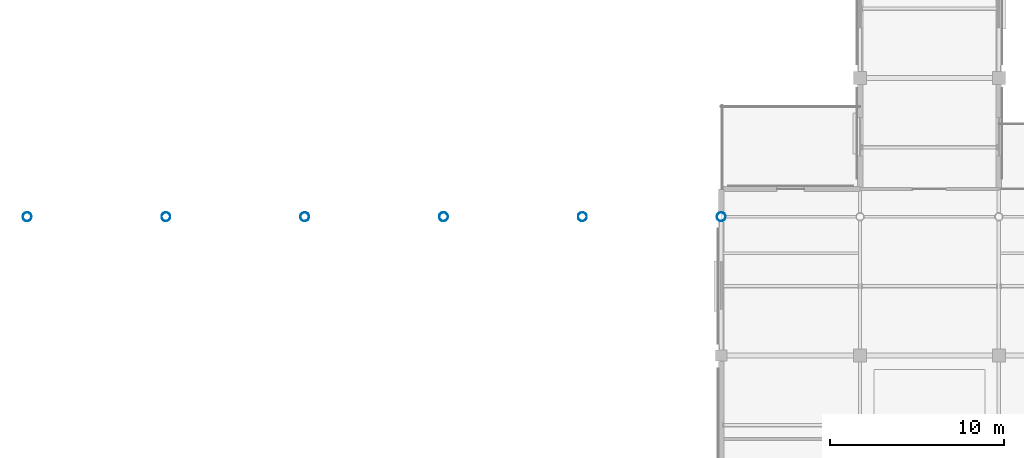
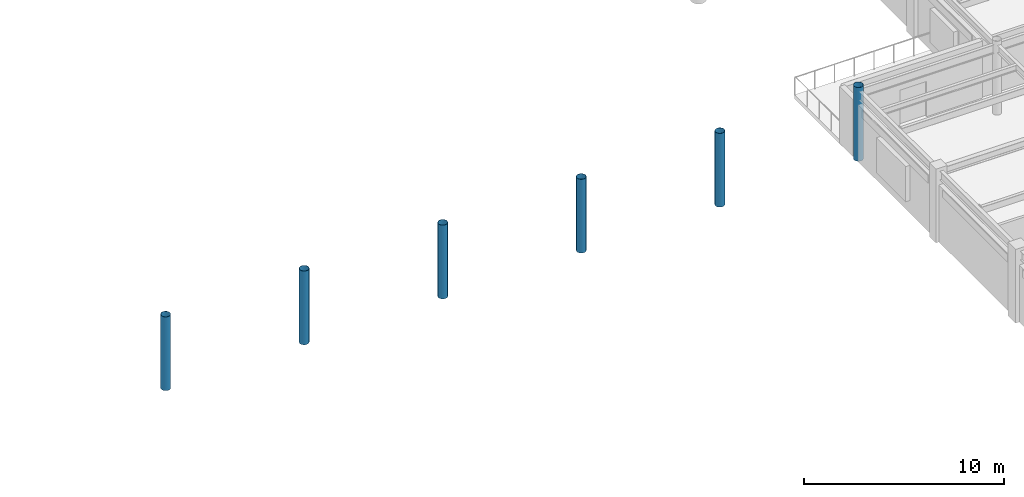
# One storey, part 2 of 93: 6 columns.
"""IFC4 building model written with IfcOpenShell, lengths in metres."""

from ifc_helpers import new_model, si_unit, direction, frame, origin, origin_2d, place, context, subcontext, project, spatial, hollow_circle, extrude, material, material_profile, profile_set, type_object, element, save


model = new_model("IFC4")

# Units and contexts
model_context = context("Model", 3, precision=1e-05, world=origin(), true_north=direction((0.0, 1.0)))
body_context = subcontext(model_context, "Body", "Model", "MODEL_VIEW")
ifc_project = project(units=[si_unit("LENGTHUNIT", "METRE"), si_unit("AREAUNIT", "SQUARE_METRE"), si_unit("VOLUMEUNIT", "CUBIC_METRE"), si_unit("PLANEANGLEUNIT", "RADIAN"), si_unit("MASSUNIT", "GRAM", prefix="KILO")], contexts=[model_context])

# Site, building, storey
site_placement = place(None, origin())
site = spatial("IfcSite", under=ifc_project, at=site_placement, CompositionType="ELEMENT")
building_placement = place(site_placement, origin())
building = spatial("IfcBuilding", under=site, at=building_placement, Name="Solmirada Galleria", CompositionType="ELEMENT")
storey_placement = place(building_placement, frame((0.0, 0.0, 14.89990234375)))
storey = spatial("IfcBuildingStorey", under=building, at=storey_placement, Name="L03", CompositionType="ELEMENT", Elevation=14.89990234375)

# Columns
ifc_material = material(Name="Steel S355 / ASTM A500 Grade C", Category="steel")
ifc_material_profile = material_profile(ifc_material, hollow_circle(Radius=0.25390625, WallThickness=0.01171875, at=origin_2d()), Name="HSS20.000X0.500")
ifc_profile_set = profile_set([ifc_material_profile], Name="Steel S355 / ASTM A500 Grade C")
column_type = type_object("IfcColumnType", Name="COL-CHS20", PredefinedType="COLUMN", material=ifc_profile_set)
for number, where, z_axis, x_axis, name in (
    (1, (40.0, 32.0, 0.0), (0.0, 0.0, 1.0), (1.0, 0.0, 0.0), "Structural column L03-0033"),
    (2, (48.0, 32.0, 0.0), (0.0, 0.0, 1.0), (1.0, 0.0, 0.0), "Structural column L03-0096"),
    (3, (56.0, 32.0, 0.0), (0.0, 0.0, 1.0), (1.0, 0.0, 0.0), "Structural column L03-0163"),
    (4, (64.0, 32.0, 0.0), (0.0, 0.0, 1.0), (1.0, 0.0, 0.0), "Structural column L03-0227"),
    (5, (72.0, 32.0, 0.0), (0.0, 0.0, 1.0), (1.0, 0.0, 0.0), "Structural column L03-0294"),
    (6, (80.0, 32.0, 0.0), (0.0, 0.0, 1.0), (1.0, 0.0, 0.0), "Structural column L03-0380"),
):
    element("IfcColumn", number, at=place(storey_placement, frame(where, z_axis=z_axis, x_axis=x_axis)), inside=storey, type_object=column_type, Name=name, PredefinedType="COLUMN", context=body_context, shape_type="SweptSolid", body=[
        extrude(hollow_circle(Radius=0.25390625, WallThickness=0.01171875, at=origin_2d()), origin(), (0.0, 0.0, 1.0), 4.5),
    ])

save(model, "model.ifc")
